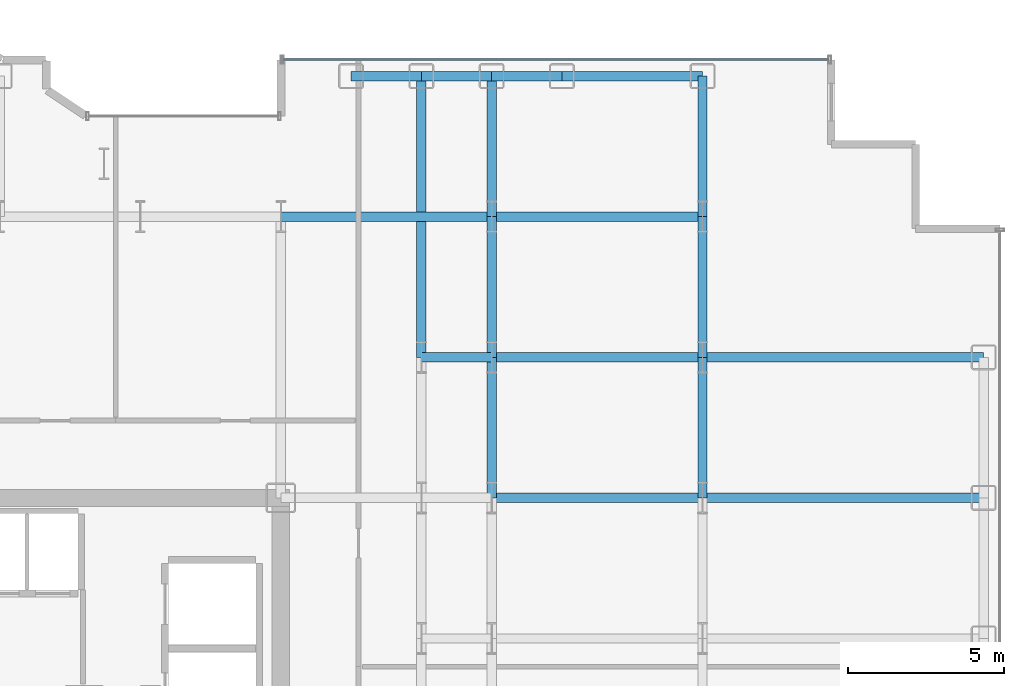
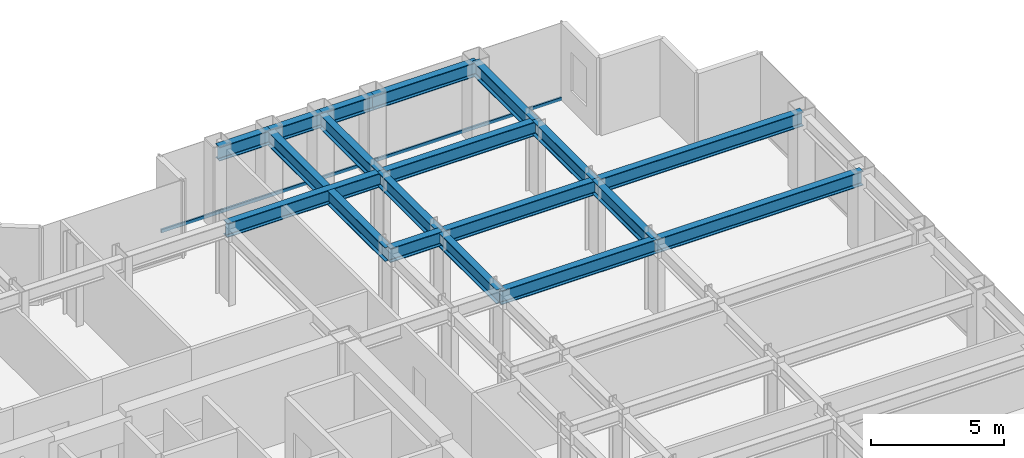
# One storey, part 13 of 25: 18 beams, 1 member, 1 element without a shape of its own.
"""IFC4 building model written with IfcOpenShell, lengths in metres."""

import ifcopenshell
import ifcopenshell.guid

model = None  # the IFC model being written
_history = None  # IfcOwnerHistory: only IFC2X3 demands one
_inside = {}  # id of a spatial element -> (the spatial element, [elements in it])
_under = {}  # id of a project, library or spatial element -> (it, [spatial elements below it])
_declared = {}  # id of a project -> (the project, [libraries it declares])
_typed = {}  # id of a type object -> (the type object, [elements of that type])
_made_of = {}  # id of a material, layer set ... -> (it, [elements and type objects made of it])


def new_model(schema):
    """Start an empty IFC model of exactly this schema.

    Asked for "IFC4X3", IfcOpenShell would pick the latest addendum, in which some entities
    have other attributes; the version numbers below select the first issue.
    IFC2X3 requires an IfcOwnerHistory on every rooted entity: one is made here for all.
    """
    global model, _history
    if schema == "IFC4X3":
        model = ifcopenshell.file(schema_version=(4, 3, 0, 0))
    else:
        model = ifcopenshell.file(schema=schema)
    _inside.clear()
    _under.clear()
    _declared.clear()
    _typed.clear()
    _made_of.clear()
    _history = None
    if model.schema == "IFC2X3":
        org = make("IfcOrganization", Name="unknown")
        user = make(
            "IfcPersonAndOrganization",
            ThePerson=make("IfcPerson", FamilyName="unknown"),
            TheOrganization=org,
        )
        app = make(
            "IfcApplication",
            ApplicationDeveloper=org,
            Version="unknown",
            ApplicationFullName="unknown",
            ApplicationIdentifier="unknown",
        )
        _history = make(
            "IfcOwnerHistory",
            OwningUser=user,
            OwningApplication=app,
            ChangeAction="ADDED",
            CreationDate=0,
        )
    return model


def make(cls, **values):
    """One entity of the class cls with the attributes given. An attribute that is None is left unset."""
    return model.create_entity(
        cls, **{name: value for name, value in values.items() if value is not None}
    )


def rooted(cls, **values):
    """An entity with a GlobalId (a new one), such as an element, a storey or a relation."""
    return make(cls, GlobalId=ifcopenshell.guid.new(), OwnerHistory=_history, **values)


def si_unit(unit_type, name, prefix=None):
    """IfcSIUnit, for example si_unit("LENGTHUNIT", "METRE", prefix="MILLI")."""
    return make("IfcSIUnit", UnitType=unit_type, Prefix=prefix, Name=name)


def assignment(units):
    """IfcUnitAssignment: the units of a project."""
    return None if units is None else make("IfcUnitAssignment", Units=units)


def point(xyz):
    """IfcCartesianPoint."""
    return None if xyz is None else make("IfcCartesianPoint", Coordinates=xyz)


def direction(xyz):
    """IfcDirection."""
    return None if xyz is None else make("IfcDirection", DirectionRatios=xyz)


def frame(location, z_axis=None, x_axis=None):
    """IfcAxis2Placement3D, a coordinate frame: its origin and axes. An axis left out is left unset."""
    return make(
        "IfcAxis2Placement3D",
        Location=point(location),
        Axis=direction(z_axis),
        RefDirection=direction(x_axis),
    )


def frame_2d(location, x_axis=None):
    """IfcAxis2Placement2D, a coordinate frame in the plane: its origin and x axis."""
    return make(
        "IfcAxis2Placement2D", Location=point(location), RefDirection=direction(x_axis)
    )


def origin():
    """The frame at (0, 0, 0) with its axes left unset."""
    return frame((0.0, 0.0, 0.0))


def origin_2d():
    """The frame at (0, 0) in the plane with its x axis left unset."""
    return frame_2d((0.0, 0.0))


def place(relative_to, where):
    """IfcLocalPlacement: puts the frame where relative to a parent placement (None: the world)."""
    return make(
        "IfcLocalPlacement", PlacementRelTo=relative_to, RelativePlacement=where
    )


def context(
    kind, dimensions, precision=None, world=None, true_north=None, identifier=None
):
    """IfcGeometricRepresentationContext, for example the 3D "Model" context."""
    return make(
        "IfcGeometricRepresentationContext",
        ContextIdentifier=identifier,
        ContextType=kind,
        CoordinateSpaceDimension=dimensions,
        Precision=precision,
        WorldCoordinateSystem=world,
        TrueNorth=true_north,
    )


def subcontext(parent, identifier, kind, view, scale=None):
    """IfcGeometricRepresentationSubContext, for example "Body" below "Model"."""
    return make(
        "IfcGeometricRepresentationSubContext",
        ContextIdentifier=identifier,
        ContextType=kind,
        ParentContext=parent,
        TargetScale=scale,
        TargetView=view,
    )


def project(units=None, contexts=None):
    """IfcProject with its units and contexts."""
    return rooted(
        "IfcProject",
        Name="project",
        RepresentationContexts=contexts,
        UnitsInContext=assignment(units),
    )


def spatial(cls, under=None, at=None, **own):
    """A site, building, storey or space (cls), placed at a placement, below another one or the project."""
    s = rooted(cls, ObjectPlacement=at, **own)
    if under is not None:
        _under.setdefault(under.id(), (under, []))[1].append(s)
    return s


def profile(cls, at=None, kind="AREA", **sizes):
    """A parametric profile (cls). Its sizes go by their IFC names, for example OverallWidth=200.0."""
    return make(cls, ProfileType=kind, Position=at, **sizes)


def hollow_rectangle(**sizes):
    """IfcRectangleHollowProfileDef."""
    return profile("IfcRectangleHollowProfileDef", **sizes)


def i_section(**sizes):
    """IfcIShapeProfileDef."""
    return profile("IfcIShapeProfileDef", **sizes)


def extrude(swept, where, along, depth):
    """IfcExtrudedAreaSolid: the profile swept, set in the frame where, extruded along a direction by depth."""
    return make(
        "IfcExtrudedAreaSolid",
        SweptArea=swept,
        Position=where,
        ExtrudedDirection=direction(along),
        Depth=depth,
    )


def shape(context_of_items, identifier, shape_type, items):
    """IfcShapeRepresentation: the items that make up one representation, for example the "Body"."""
    return make(
        "IfcShapeRepresentation",
        ContextOfItems=context_of_items,
        RepresentationIdentifier=identifier,
        RepresentationType=shape_type,
        Items=items,
    )


def source(mapping_origin, context_of_items, identifier, shape_type, items):
    """IfcRepresentationMap: a shape defined once, which mapped items show again and again."""
    return make(
        "IfcRepresentationMap",
        MappingOrigin=mapping_origin,
        MappedRepresentation=shape(context_of_items, identifier, shape_type, items),
    )


def transform(
    local_origin,
    x_axis=None,
    y_axis=None,
    z_axis=None,
    scale=None,
    scale2=None,
    scale3=None,
    uniform=True,
):
    """IfcCartesianTransformationOperator3D, or its non-uniform kind. x_axis, y_axis, z_axis: its Axis1, 2, 3."""
    if uniform:
        return make(
            "IfcCartesianTransformationOperator3D",
            Axis1=direction(x_axis),
            Axis2=direction(y_axis),
            LocalOrigin=point(local_origin),
            Scale=scale,
            Axis3=direction(z_axis),
        )
    return make(
        "IfcCartesianTransformationOperator3DnonUniform",
        Axis1=direction(x_axis),
        Axis2=direction(y_axis),
        LocalOrigin=point(local_origin),
        Scale=scale,
        Axis3=direction(z_axis),
        Scale2=scale2,
        Scale3=scale3,
    )


def mapped(mapping_source, mapping_target):
    """IfcMappedItem: shows the shape of a source again, moved by a transform."""
    return make(
        "IfcMappedItem", MappingSource=mapping_source, MappingTarget=mapping_target
    )


def material(Name=None, Category=None):
    """IfcMaterial."""
    return make("IfcMaterial", Name=Name, Category=Category)


def layer(
    of_material, thickness, ventilated=None, Name=None, Category=None, Priority=None
):
    """IfcMaterialLayer: one layer of a wall or slab, of a material (None: an air gap)."""
    return make(
        "IfcMaterialLayer",
        Material=of_material,
        LayerThickness=thickness,
        IsVentilated=ventilated,
        Name=Name,
        Category=Category,
        Priority=Priority,
    )


def layer_set(layers, Name=None):
    """IfcMaterialLayerSet."""
    return make("IfcMaterialLayerSet", MaterialLayers=layers, LayerSetName=Name)


def material_profile(
    of_material, cross_section, Name=None, Category=None, Priority=None
):
    """IfcMaterialProfile: a cross section and its material."""
    return make(
        "IfcMaterialProfile",
        Name=Name,
        Material=of_material,
        Profile=cross_section,
        Priority=Priority,
        Category=Category,
    )


def profile_set(profiles, Name=None, composite=None):
    """IfcMaterialProfileSet."""
    return make(
        "IfcMaterialProfileSet",
        Name=Name,
        MaterialProfiles=profiles,
        CompositeProfile=composite,
    )


def made_of(thing, what):
    """Note that an element or type object is made of a material, layer set ...; save() writes the relation."""
    if what is not None:
        _made_of.setdefault(what.id(), (what, []))[1].append(thing)
    return thing


def type_object(cls, material=None, **own):
    """A type object (cls), such as IfcWallType, which elements share."""
    return made_of(rooted(cls, **own), material)


def element(
    cls,
    number,
    at=None,
    inside=None,
    cuts=None,
    type_object=None,
    material=None,
    context=None,
    identifier="Body",
    shape_type=None,
    held_by="IfcProductDefinitionShape",
    body=None,
    shapes=None,
    **own,
):
    """One element of the class cls, such as IfcWall. Its Tag is "e" and its number.

    at: its placement. inside: the storey or other place that contains it. cuts: it is an
    opening in that element (IfcRelVoidsElement). A single representation is given by context,
    identifier, shape_type and body (its items); several are given by shapes. held_by: the class
    of the entity that holds the representations. save() writes the other relations.
    """
    e = rooted(cls, Tag="e%d" % number, ObjectPlacement=at, **own)
    if body is not None:
        shapes = [shape(context, identifier, shape_type, body)]
    if shapes is not None:
        e.Representation = make(held_by, Representations=shapes)
    if inside is not None:
        _inside.setdefault(inside.id(), (inside, []))[1].append(e)
    if cuts is not None:
        rooted(
            "IfcRelVoidsElement", RelatingBuildingElement=cuts, RelatedOpeningElement=e
        )
    if type_object is not None:
        _typed.setdefault(type_object.id(), (type_object, []))[1].append(e)
    return made_of(e, material)


def aggregate(whole, parts):
    """IfcRelAggregates: a whole, such as a stair, and the parts it consists of."""
    return rooted("IfcRelAggregates", RelatingObject=whole, RelatedObjects=parts)


def save(model, path):
    """Write the relations noted so far, then the file.

    IfcRelAggregates (storeys below a building ...), IfcRelContainedInSpatialStructure (elements
    in a storey), IfcRelDefinesByType, IfcRelAssociatesMaterial and IfcRelDeclares: one each for
    every whole, place, type object, material and project.
    """
    for whole, parts in _under.values():
        aggregate(whole, parts)
    for where, things in _inside.values():
        rooted(
            "IfcRelContainedInSpatialStructure",
            RelatedElements=things,
            RelatingStructure=where,
        )
    for kind, things in _typed.values():
        rooted("IfcRelDefinesByType", RelatedObjects=things, RelatingType=kind)
    for what, things in _made_of.values():
        rooted("IfcRelAssociatesMaterial", RelatedObjects=things, RelatingMaterial=what)
    for by, libraries in _declared.values():
        rooted("IfcRelDeclares", RelatingContext=by, RelatedDefinitions=libraries)
    model.write(path)


model = new_model("IFC4")

# Units and contexts
model_context = context("Model", 3, precision=1e-05, world=origin(), true_north=direction((0.0, 1.0)))
body_context = subcontext(model_context, "Body", "Model", "MODEL_VIEW")
ifc_project = project(units=[si_unit("LENGTHUNIT", "METRE"), si_unit("AREAUNIT", "SQUARE_METRE"), si_unit("VOLUMEUNIT", "CUBIC_METRE"), si_unit("PLANEANGLEUNIT", "RADIAN"), si_unit("MASSUNIT", "GRAM", prefix="KILO")], contexts=[model_context])

# Site, building, storey
site_placement = place(None, origin())
site = spatial("IfcSite", under=ifc_project, at=site_placement, CompositionType="ELEMENT")
building_placement = place(site_placement, origin())
building = spatial("IfcBuilding", under=site, at=building_placement, Name="Nefas-Gora Pilgrimage Tower", CompositionType="ELEMENT")
storey_placement = place(building_placement, frame((0.0, 0.0, 109.800048828125)))
storey = spatial("IfcBuildingStorey", under=building, at=storey_placement, Name="L26", CompositionType="ELEMENT", Elevation=109.800048828125)

# Beams
ifc_material_1 = material(Name="Steel S355", Category="steel")
ifc_material_profile_1 = material_profile(ifc_material_1, i_section(OverallWidth=0.300048828125, OverallDepth=0.64990234375, WebThickness=0.01611328125, FlangeThickness=0.031005859375, FilletRadius=0.027099609375, at=origin_2d()), Name="HEB 650")
ifc_profile_set_1 = profile_set([ifc_material_profile_1], Name="Steel S355")
beam_type_1 = type_object("IfcBeamType", Name="BM-SPN-HEB500", PredefinedType="SPANDREL", material=ifc_profile_set_1)
shared_shape_1 = source(origin(), body_context, "Body", "SweptSolid", [
    extrude(i_section(OverallWidth=0.300048828125, OverallDepth=0.64990234375, WebThickness=0.01611328125, FlangeThickness=0.031005859375, FilletRadius=0.027099609375, at=origin_2d()), origin(), (0.0, 0.0, 1.0), 4.5),
])
beam_1_placement = place(storey_placement, frame((20.25, 22.5, 3.224853515625), z_axis=(1.0, 0.0, 0.0), x_axis=(0.0, 1.0, 0.0)))
element("IfcBeam", 1, at=beam_1_placement, inside=storey, type_object=beam_type_1, Name="L26 SP-02 beam", PredefinedType="SPANDREL", context=body_context, shape_type="MappedRepresentation", body=[
    mapped(shared_shape_1, transform((0.0, 0.0, 0.0), x_axis=(1.0, 0.0, 0.0), y_axis=(0.0, 1.0, 0.0), z_axis=(0.0, 0.0, 1.0), scale=1.0)),
])
ifc_material_profile_2 = material_profile(ifc_material_1, i_section(OverallWidth=0.300048828125, OverallDepth=0.64990234375, WebThickness=0.01611328125, FlangeThickness=0.031005859375, FilletRadius=0.027099609375, at=origin_2d()), Name="HEB 650")
ifc_profile_set_2 = profile_set([ifc_material_profile_2], Name="Steel S355")
beam_type_2 = type_object("IfcBeamType", Name="BM-GIR-HEB650", PredefinedType="BEAM", material=ifc_profile_set_2)
shared_shape_2 = source(origin(), body_context, "Body", "SweptSolid", [
    extrude(i_section(OverallWidth=0.300048828125, OverallDepth=0.64990234375, WebThickness=0.01611328125, FlangeThickness=0.031005859375, FilletRadius=0.027099609375, at=origin_2d()), origin(), (0.0, 0.0, 1.0), 9.0),
])
for number, where, z_axis, x_axis, name in (
    (2, (15.75, 13.5, 3.224853515625), (0.0, 1.0, 0.0), (-1.0, 0.0, 0.0), "L26 G-03 beam"),
    (3, (24.75, 9.0, 3.224853515625), (1.0, 0.0, 0.0), (0.0, 1.0, 0.0), "L26 G-03 beam"),
    (4, (24.75, 13.5, 3.224853515625), (1.0, 0.0, 0.0), (0.0, 1.0, 0.0), "L26 G-03 beam"),
):
    element("IfcBeam", number, at=place(storey_placement, frame(where, z_axis=z_axis, x_axis=x_axis)), inside=storey, type_object=beam_type_2, Name=name, PredefinedType="BEAM", context=body_context, shape_type="MappedRepresentation", body=[
        mapped(shared_shape_2, transform((0.0, 0.0, 0.0), x_axis=(1.0, 0.0, 0.0), y_axis=(0.0, 1.0, 0.0), z_axis=(0.0, 0.0, 1.0), scale=1.0)),
    ])
shared_shape_3 = source(origin(), body_context, "Body", "SweptSolid", [
    extrude(i_section(OverallWidth=0.300048828125, OverallDepth=0.64990234375, WebThickness=0.01611328125, FlangeThickness=0.031005859375, FilletRadius=0.027099609375, at=origin_2d()), origin(), (0.0, 0.0, 1.0), 4.5),
])
for number, where, z_axis, x_axis, name in (
    (5, (18.0, 9.0, 3.224853515625), (0.0, 1.0, 0.0), (-1.0, 0.0, 0.0), "L26 G-03 beam"),
    (6, (18.0, 13.5, 3.224853515625), (0.0, 1.0, 0.0), (-1.0, 0.0, 0.0), "L26 G-03 beam"),
    (7, (18.0, 18.0, 3.224853515625), (0.0, 1.0, 0.0), (-1.0, 0.0, 0.0), "L26 G-03 beam"),
    (8, (24.75, 9.0, 3.224853515625), (0.0, 1.0, 0.0), (-1.0, 0.0, 0.0), "L26 G-03 beam"),
    (9, (24.75, 13.5, 3.224853515625), (0.0, 1.0, 0.0), (-1.0, 0.0, 0.0), "L26 G-03 beam"),
    (10, (24.75, 18.0, 3.224853515625), (0.0, 1.0, 0.0), (-1.0, 0.0, 0.0), "L26 G-03 beam"),
):
    element("IfcBeam", number, at=place(storey_placement, frame(where, z_axis=z_axis, x_axis=x_axis)), inside=storey, type_object=beam_type_2, Name=name, PredefinedType="BEAM", context=body_context, shape_type="MappedRepresentation", body=[
        mapped(shared_shape_3, transform((0.0, 0.0, 0.0), x_axis=(1.0, 0.0, 0.0), y_axis=(0.0, 1.0, 0.0), z_axis=(0.0, 0.0, 1.0), scale=1.0)),
    ])
shared_shape_4 = source(origin(), body_context, "Body", "SweptSolid", [
    extrude(i_section(OverallWidth=0.300048828125, OverallDepth=0.64990234375, WebThickness=0.01611328125, FlangeThickness=0.031005859375, FilletRadius=0.027099609375, at=origin_2d()), origin(), (0.0, 0.0, 1.0), 6.75),
])
for number, where, z_axis, x_axis, name in (
    (11, (11.25, 18.0, 3.224853515625), (1.0, 0.0, 0.0), (0.0, 1.0, 0.0), "L26 G-03 beam"),
    (12, (18.0, 9.0, 3.224853515625), (1.0, 0.0, 0.0), (0.0, 1.0, 0.0), "L26 G-03 beam"),
    (13, (18.0, 13.5, 3.224853515625), (1.0, 0.0, 0.0), (0.0, 1.0, 0.0), "L26 G-03 beam"),
    (14, (18.0, 18.0, 3.224853515625), (1.0, 0.0, 0.0), (0.0, 1.0, 0.0), "L26 G-03 beam"),
):
    element("IfcBeam", number, at=place(storey_placement, frame(where, z_axis=z_axis, x_axis=x_axis)), inside=storey, type_object=beam_type_2, Name=name, PredefinedType="BEAM", context=body_context, shape_type="MappedRepresentation", body=[
        mapped(shared_shape_4, transform((0.0, 0.0, 0.0), x_axis=(1.0, 0.0, 0.0), y_axis=(0.0, 1.0, 0.0), z_axis=(0.0, 0.0, 1.0), scale=1.0)),
    ])
shared_shape_5 = source(origin(), body_context, "Body", "SweptSolid", [
    extrude(i_section(OverallWidth=0.300048828125, OverallDepth=0.64990234375, WebThickness=0.01611328125, FlangeThickness=0.031005859375, FilletRadius=0.027099609375, at=origin_2d()), origin(), (0.0, 0.0, 1.0), 2.25),
])
for number, where, z_axis, x_axis, name in (
    (15, (13.5, 22.5, 3.224853515625), (1.0, 0.0, 0.0), (0.0, 1.0, 0.0), "L26 SP-02 beam"),
    (16, (15.75, 22.5, 3.224853515625), (1.0, 0.0, 0.0), (0.0, 1.0, 0.0), "L26 SP-02 beam"),
    (17, (18.0, 22.5, 3.224853515625), (1.0, 0.0, 0.0), (0.0, 1.0, 0.0), "L26 SP-02 beam"),
):
    element("IfcBeam", number, at=place(storey_placement, frame(where, z_axis=z_axis, x_axis=x_axis)), inside=storey, type_object=beam_type_1, Name=name, PredefinedType="SPANDREL", context=body_context, shape_type="MappedRepresentation", body=[
        mapped(shared_shape_5, transform((0.0, 0.0, 0.0), x_axis=(1.0, 0.0, 0.0), y_axis=(0.0, 1.0, 0.0), z_axis=(0.0, 0.0, 1.0), scale=1.0)),
    ])
shared_shape_6 = source(origin(), body_context, "Body", "SweptSolid", [
    extrude(i_section(OverallWidth=0.300048828125, OverallDepth=0.64990234375, WebThickness=0.01611328125, FlangeThickness=0.031005859375, FilletRadius=0.027099609375, at=origin_2d()), origin(), (0.0, 0.0, 1.0), 2.25),
])
beam_2_placement = place(storey_placement, frame((15.75, 13.5, 3.224853515625), z_axis=(1.0, 0.0, 0.0), x_axis=(0.0, 1.0, 0.0)))
element("IfcBeam", 18, at=beam_2_placement, inside=storey, type_object=beam_type_2, Name="L26 G-03 beam", PredefinedType="BEAM", context=body_context, shape_type="MappedRepresentation", body=[
    mapped(shared_shape_6, transform((0.0, 0.0, 0.0), x_axis=(1.0, 0.0, 0.0), y_axis=(0.0, 1.0, 0.0), z_axis=(0.0, 0.0, 1.0), scale=1.0)),
])

# Curtain wall, member
ifc_material_2 = material(Name="Dark ceramic-fritted solar-control aluminium-glass curtain wall", Category="aluminium")
ifc_layer = layer(ifc_material_2, 0.219970703125)
ifc_layer_set = layer_set([ifc_layer], Name="Dark ceramic-fritted solar-control aluminium-glass curtain wall")
curtain_wall_type = type_object("IfcCurtainWallType", Name="CW-SYS-2", PredefinedType="NOTDEFINED", material=ifc_layer_set)
curtain_wall_placement = place(storey_placement, origin())
curtain_wall = element("IfcCurtainWall", 19, at=curtain_wall_placement, inside=storey, type_object=curtain_wall_type, Name="L26 Unitised Curtain Wall CW2", PredefinedType="NOTDEFINED")
ifc_material_3 = material(Name="Anodised architectural aluminium", Category="aluminium")
ifc_material_profile_3 = material_profile(ifc_material_3, hollow_rectangle(XDim=0.080078125, YDim=0.159912109375, WallThickness=0.00439453125, InnerFilletRadius=0.00439453125, OuterFilletRadius=0.009033203125, at=origin_2d()), Name="ALU TRANSOM 80x160")
ifc_profile_set_3 = profile_set([ifc_material_profile_3], Name="Anodised architectural aluminium")
member_type = type_object("IfcMemberType", Name="CWM-TRN-2", PredefinedType="USERDEFINED", material=ifc_profile_set_3)
shared_shape_7 = source(origin(), body_context, "Body", "SweptSolid", [
    extrude(hollow_rectangle(XDim=0.080078125, YDim=0.159912109375, WallThickness=0.00439453125, InnerFilletRadius=0.00439453125, OuterFilletRadius=0.009033203125, at=origin_2d()), origin(), (0.0, 0.0, 1.0), 17.43994140625),
])
member_placement = place(storey_placement, frame((28.780029296875, 23.02001953125, 0.050048828125), z_axis=(-1.0, 0.0, 0.0), x_axis=(0.0, -1.0, 0.0)))
member = element("IfcMember", 20, at=member_placement, type_object=member_type, Name="CW2 Spandrel Transom", ObjectType="TRANSOM", PredefinedType="USERDEFINED", context=body_context, shape_type="MappedRepresentation", body=[
    mapped(shared_shape_7, transform((0.0, 0.0, 0.0), x_axis=(1.0, 0.0, 0.0), y_axis=(0.0, 1.0, 0.0), z_axis=(0.0, 0.0, 1.0), scale=1.0)),
])
aggregate(curtain_wall, [member])

save(model, "model.ifc")
